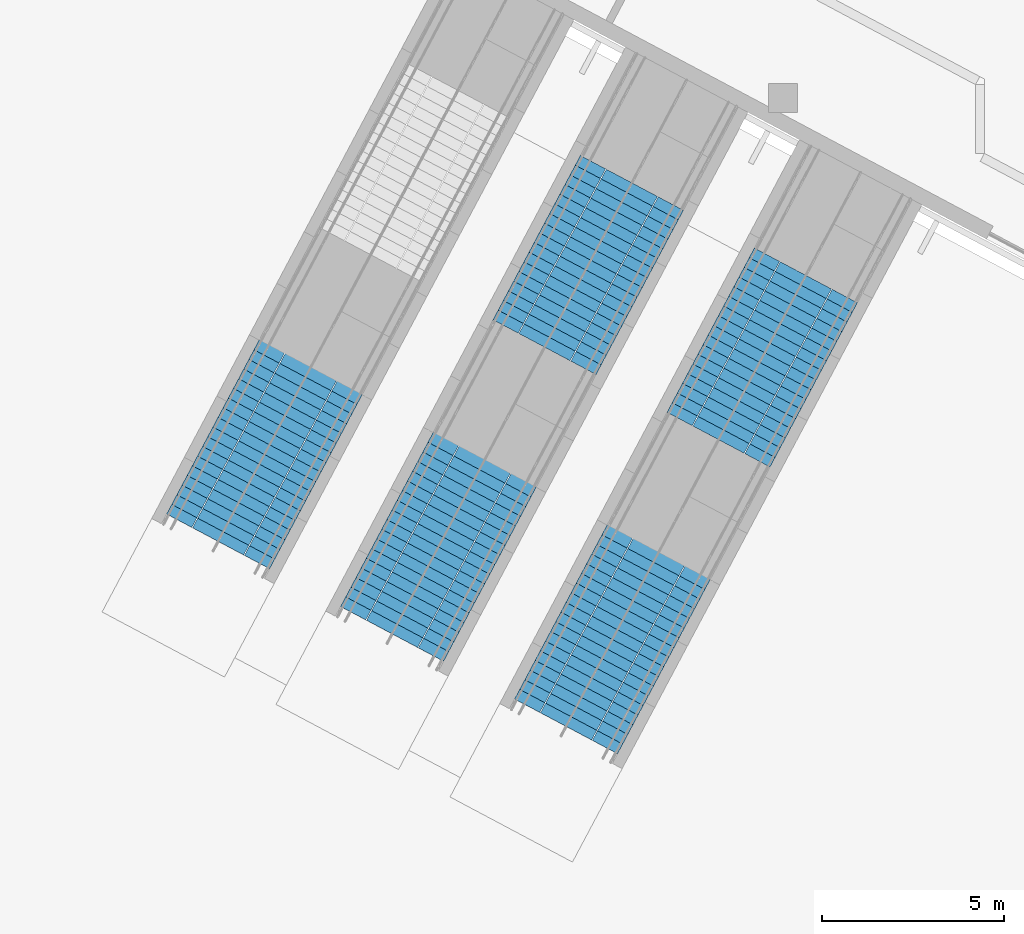
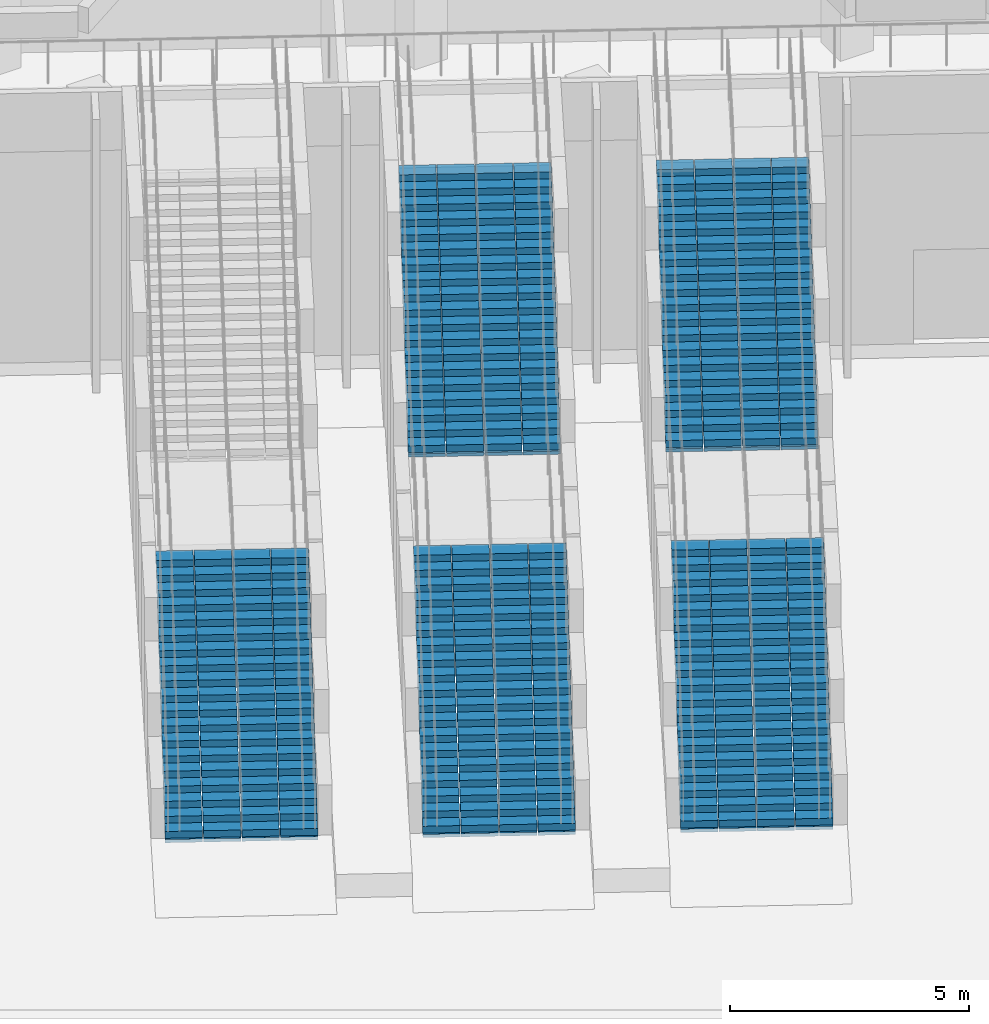
# One storey, part 32 of 57: 5 stair flights, 3 elements without a shape of their own.
"""IFC4 building model written with IfcOpenShell, lengths in metres."""

from ifc_helpers import new_model, si_unit, direction, frame, origin, place, context, subcontext, project, spatial, polyline, outline, extrude, material, layer, layer_set, type_object, element, aggregate, save


model = new_model("IFC4")

# Units and contexts
model_context = context("Model", 3, precision=1e-05, world=origin(), true_north=direction((0.0, 1.0)))
body_context = subcontext(model_context, "Body", "Model", "MODEL_VIEW")
ifc_project = project(units=[si_unit("LENGTHUNIT", "METRE"), si_unit("AREAUNIT", "SQUARE_METRE"), si_unit("VOLUMEUNIT", "CUBIC_METRE"), si_unit("PLANEANGLEUNIT", "RADIAN"), si_unit("MASSUNIT", "GRAM", prefix="KILO")], contexts=[model_context])

# Site, building, storey
site_placement = place(None, origin())
site = spatial("IfcSite", under=ifc_project, at=site_placement, CompositionType="ELEMENT")
building_placement = place(site_placement, origin())
building = spatial("IfcBuilding", under=site, at=building_placement, Name="Cormorant Relay Tower", CompositionType="ELEMENT")
storey_placement = place(building_placement, origin())
storey = spatial("IfcBuildingStorey", under=building, at=storey_placement, Name="L00", CompositionType="ELEMENT", Elevation=0.0)

# Stair, stair flight
ifc_material_1 = material(Name="Concrete 40 MPa", Category="concrete")
stair_type = type_object("IfcStairType", Name="Street stair 3200", PredefinedType="STRAIGHT_RUN_STAIR", material=ifc_material_1)
stair_1_placement = place(storey_placement, origin())
stair_1 = element("IfcStair", 1, at=stair_1_placement, inside=storey, type_object=stair_type, Name="Street stair 2A", PredefinedType="STRAIGHT_RUN_STAIR")
ifc_material_2 = material(Name="Concrete 40 MPa", Category="concrete")
ifc_layer = layer(ifc_material_2, 0.199951171875)
ifc_layer_set = layer_set([ifc_layer], Name="Street stair flight")
stair_flight_type = type_object("IfcStairFlightType", Name="Street stair flight", PredefinedType="STRAIGHT", material=ifc_layer_set)
stair_flight_1_placement = place(storey_placement, frame((-44.114013671875, -33.739013671875, 0.0), z_axis=(0.0, 0.0, 1.0), x_axis=(0.469471562786, 0.882947592859, 0.0)))
stair_flight_1 = element("IfcStairFlight", 2, at=stair_flight_1_placement, type_object=stair_flight_type, Name="PST1 flight 2", NumberOfRisers=20, NumberOfTreads=19, PredefinedType="STRAIGHT", RiserHeight=0.175, TreadLength=0.3, context=body_context, shape_type="SweptSolid", body=[
    extrude(outline(polyline([(-0.050048828125, -0.080078125), (-0.050048828125, 0.0), (0.0, 0.0), (0.0, 0.175048828125), (0.300048828125, 0.175048828125), (0.300048828125, 0.35009765625), (0.60009765625, 0.35009765625), (0.60009765625, 0.52490234375), (0.89990234375, 0.52490234375), (0.89990234375, 0.699951171875), (1.199951171875, 0.699951171875), (1.199951171875, 0.875), (1.5, 0.875), (1.5, 1.050048828125), (1.800048828125, 1.050048828125), (1.800048828125, 1.22509765625), (2.10009765625, 1.22509765625), (2.10009765625, 1.39990234375), (2.39990234375, 1.39990234375), (2.39990234375, 1.574951171875), (2.699951171875, 1.574951171875), (2.699951171875, 1.75), (3.0, 1.75), (3.0, 1.925048828125), (3.300048828125, 1.925048828125), (3.300048828125, 2.10009765625), (3.60009765625, 2.10009765625), (3.60009765625, 2.27490234375), (3.89990234375, 2.27490234375), (3.89990234375, 2.449951171875), (4.199951171875, 2.449951171875), (4.199951171875, 2.625), (4.5, 2.625), (4.5, 2.800048828125), (4.800048828125, 2.800048828125), (4.800048828125, 2.97509765625), (5.10009765625, 2.97509765625), (5.10009765625, 3.14990234375), (5.39990234375, 3.14990234375), (5.39990234375, 3.324951171875), (5.699951171875, 3.324951171875), (5.75, 3.324951171875), (5.75, 3.1513671875), (5.699951171875, 3.1513671875), (0.297607421875, 0.0), (-0.050048828125, -0.080078125)])), frame((0.0, 1.60009765625, 0.0), z_axis=(0.0, -1.0, 0.0), x_axis=(1.0, 0.0, 0.0)), (0.0, 0.0, 1.0), 0.784912109375),
    extrude(outline(polyline([(-0.050048828125, -0.080078125), (-0.050048828125, 0.0), (0.0, 0.0), (0.0, 0.175048828125), (0.300048828125, 0.175048828125), (0.300048828125, 0.35009765625), (0.60009765625, 0.35009765625), (0.60009765625, 0.52490234375), (0.89990234375, 0.52490234375), (0.89990234375, 0.699951171875), (1.199951171875, 0.699951171875), (1.199951171875, 0.875), (1.5, 0.875), (1.5, 1.050048828125), (1.800048828125, 1.050048828125), (1.800048828125, 1.22509765625), (2.10009765625, 1.22509765625), (2.10009765625, 1.39990234375), (2.39990234375, 1.39990234375), (2.39990234375, 1.574951171875), (2.699951171875, 1.574951171875), (2.699951171875, 1.75), (3.0, 1.75), (3.0, 1.925048828125), (3.300048828125, 1.925048828125), (3.300048828125, 2.10009765625), (3.60009765625, 2.10009765625), (3.60009765625, 2.27490234375), (3.89990234375, 2.27490234375), (3.89990234375, 2.449951171875), (4.199951171875, 2.449951171875), (4.199951171875, 2.625), (4.5, 2.625), (4.5, 2.800048828125), (4.800048828125, 2.800048828125), (4.800048828125, 2.97509765625), (5.10009765625, 2.97509765625), (5.10009765625, 3.14990234375), (5.39990234375, 3.14990234375), (5.39990234375, 3.324951171875), (5.699951171875, 3.324951171875), (5.75, 3.324951171875), (5.75, 3.1513671875), (5.699951171875, 3.1513671875), (0.297607421875, 0.0), (-0.050048828125, -0.080078125)])), frame((0.0, 0.795166015625, 0.0), z_axis=(0.0, -1.0, 0.0), x_axis=(1.0, 0.0, 0.0)), (0.0, 0.0, 1.0), 0.784912109375),
    extrude(outline(polyline([(-0.050048828125, -0.080078125), (-0.050048828125, 0.0), (0.0, 0.0), (0.0, 0.175048828125), (0.300048828125, 0.175048828125), (0.300048828125, 0.35009765625), (0.60009765625, 0.35009765625), (0.60009765625, 0.52490234375), (0.89990234375, 0.52490234375), (0.89990234375, 0.699951171875), (1.199951171875, 0.699951171875), (1.199951171875, 0.875), (1.5, 0.875), (1.5, 1.050048828125), (1.800048828125, 1.050048828125), (1.800048828125, 1.22509765625), (2.10009765625, 1.22509765625), (2.10009765625, 1.39990234375), (2.39990234375, 1.39990234375), (2.39990234375, 1.574951171875), (2.699951171875, 1.574951171875), (2.699951171875, 1.75), (3.0, 1.75), (3.0, 1.925048828125), (3.300048828125, 1.925048828125), (3.300048828125, 2.10009765625), (3.60009765625, 2.10009765625), (3.60009765625, 2.27490234375), (3.89990234375, 2.27490234375), (3.89990234375, 2.449951171875), (4.199951171875, 2.449951171875), (4.199951171875, 2.625), (4.5, 2.625), (4.5, 2.800048828125), (4.800048828125, 2.800048828125), (4.800048828125, 2.97509765625), (5.10009765625, 2.97509765625), (5.10009765625, 3.14990234375), (5.39990234375, 3.14990234375), (5.39990234375, 3.324951171875), (5.699951171875, 3.324951171875), (5.75, 3.324951171875), (5.75, 3.1513671875), (5.699951171875, 3.1513671875), (0.297607421875, 0.0), (-0.050048828125, -0.080078125)])), frame((0.0, -0.009765625, 0.0), z_axis=(0.0, -1.0, 0.0), x_axis=(1.0, 0.0, 0.0)), (0.0, 0.0, 1.0), 0.784912109375),
    extrude(outline(polyline([(-0.050048828125, -0.080078125), (-0.050048828125, 0.0), (0.0, 0.0), (0.0, 0.175048828125), (0.300048828125, 0.175048828125), (0.300048828125, 0.35009765625), (0.60009765625, 0.35009765625), (0.60009765625, 0.52490234375), (0.89990234375, 0.52490234375), (0.89990234375, 0.699951171875), (1.199951171875, 0.699951171875), (1.199951171875, 0.875), (1.5, 0.875), (1.5, 1.050048828125), (1.800048828125, 1.050048828125), (1.800048828125, 1.22509765625), (2.10009765625, 1.22509765625), (2.10009765625, 1.39990234375), (2.39990234375, 1.39990234375), (2.39990234375, 1.574951171875), (2.699951171875, 1.574951171875), (2.699951171875, 1.75), (3.0, 1.75), (3.0, 1.925048828125), (3.300048828125, 1.925048828125), (3.300048828125, 2.10009765625), (3.60009765625, 2.10009765625), (3.60009765625, 2.27490234375), (3.89990234375, 2.27490234375), (3.89990234375, 2.449951171875), (4.199951171875, 2.449951171875), (4.199951171875, 2.625), (4.5, 2.625), (4.5, 2.800048828125), (4.800048828125, 2.800048828125), (4.800048828125, 2.97509765625), (5.10009765625, 2.97509765625), (5.10009765625, 3.14990234375), (5.39990234375, 3.14990234375), (5.39990234375, 3.324951171875), (5.699951171875, 3.324951171875), (5.75, 3.324951171875), (5.75, 3.1513671875), (5.699951171875, 3.1513671875), (0.297607421875, 0.0), (-0.050048828125, -0.080078125)])), frame((0.0, -0.814697265625, 0.0), z_axis=(0.0, -1.0, 0.0), x_axis=(1.0, 0.0, 0.0)), (0.0, 0.0, 1.0), 0.784912109375),
])
aggregate(stair_1, [stair_flight_1])

# Stair, stair flights
stair_2_placement = place(storey_placement, origin())
stair_2 = element("IfcStair", 3, at=stair_2_placement, inside=storey, type_object=stair_type, Name="Street stair 2B", PredefinedType="STRAIGHT_RUN_STAIR")
stair_flight_2_placement = place(storey_placement, frame((-35.16796875, -28.415771484375, 3.5), z_axis=(0.0, 0.0, 1.0), x_axis=(0.469471562786, 0.882947592859, 0.0)))
stair_flight_2 = element("IfcStairFlight", 4, at=stair_flight_2_placement, type_object=stair_flight_type, Name="PST1 flight 1", NumberOfRisers=20, NumberOfTreads=19, PredefinedType="STRAIGHT", RiserHeight=0.175, TreadLength=0.3, context=body_context, shape_type="SweptSolid", body=[
    extrude(outline(polyline([(-0.050048828125, -0.080078125), (-0.050048828125, 0.0), (0.0, 0.0), (0.0, 0.175048828125), (0.300048828125, 0.175048828125), (0.300048828125, 0.35009765625), (0.60009765625, 0.35009765625), (0.60009765625, 0.52490234375), (0.89990234375, 0.52490234375), (0.89990234375, 0.699951171875), (1.199951171875, 0.699951171875), (1.199951171875, 0.875), (1.5, 0.875), (1.5, 1.050048828125), (1.800048828125, 1.050048828125), (1.800048828125, 1.22509765625), (2.10009765625, 1.22509765625), (2.10009765625, 1.39990234375), (2.39990234375, 1.39990234375), (2.39990234375, 1.574951171875), (2.699951171875, 1.574951171875), (2.699951171875, 1.75), (3.0, 1.75), (3.0, 1.925048828125), (3.300048828125, 1.925048828125), (3.300048828125, 2.10009765625), (3.60009765625, 2.10009765625), (3.60009765625, 2.27490234375), (3.89990234375, 2.27490234375), (3.89990234375, 2.449951171875), (4.199951171875, 2.449951171875), (4.199951171875, 2.625), (4.5, 2.625), (4.5, 2.800048828125), (4.800048828125, 2.800048828125), (4.800048828125, 2.97509765625), (5.10009765625, 2.97509765625), (5.10009765625, 3.14990234375), (5.39990234375, 3.14990234375), (5.39990234375, 3.324951171875), (5.699951171875, 3.324951171875), (5.75, 3.324951171875), (5.75, 3.1513671875), (5.699951171875, 3.1513671875), (0.297607421875, 0.0), (-0.050048828125, -0.080078125)])), frame((0.0, 1.60009765625, 0.0), z_axis=(0.0, -1.0, 0.0), x_axis=(1.0, 0.0, 0.0)), (0.0, 0.0, 1.0), 0.784912109375),
    extrude(outline(polyline([(-0.050048828125, -0.080078125), (-0.050048828125, 0.0), (0.0, 0.0), (0.0, 0.175048828125), (0.300048828125, 0.175048828125), (0.300048828125, 0.35009765625), (0.60009765625, 0.35009765625), (0.60009765625, 0.52490234375), (0.89990234375, 0.52490234375), (0.89990234375, 0.699951171875), (1.199951171875, 0.699951171875), (1.199951171875, 0.875), (1.5, 0.875), (1.5, 1.050048828125), (1.800048828125, 1.050048828125), (1.800048828125, 1.22509765625), (2.10009765625, 1.22509765625), (2.10009765625, 1.39990234375), (2.39990234375, 1.39990234375), (2.39990234375, 1.574951171875), (2.699951171875, 1.574951171875), (2.699951171875, 1.75), (3.0, 1.75), (3.0, 1.925048828125), (3.300048828125, 1.925048828125), (3.300048828125, 2.10009765625), (3.60009765625, 2.10009765625), (3.60009765625, 2.27490234375), (3.89990234375, 2.27490234375), (3.89990234375, 2.449951171875), (4.199951171875, 2.449951171875), (4.199951171875, 2.625), (4.5, 2.625), (4.5, 2.800048828125), (4.800048828125, 2.800048828125), (4.800048828125, 2.97509765625), (5.10009765625, 2.97509765625), (5.10009765625, 3.14990234375), (5.39990234375, 3.14990234375), (5.39990234375, 3.324951171875), (5.699951171875, 3.324951171875), (5.75, 3.324951171875), (5.75, 3.1513671875), (5.699951171875, 3.1513671875), (0.297607421875, 0.0), (-0.050048828125, -0.080078125)])), frame((0.0, 0.795166015625, 0.0), z_axis=(0.0, -1.0, 0.0), x_axis=(1.0, 0.0, 0.0)), (0.0, 0.0, 1.0), 0.784912109375),
    extrude(outline(polyline([(-0.050048828125, -0.080078125), (-0.050048828125, 0.0), (0.0, 0.0), (0.0, 0.175048828125), (0.300048828125, 0.175048828125), (0.300048828125, 0.35009765625), (0.60009765625, 0.35009765625), (0.60009765625, 0.52490234375), (0.89990234375, 0.52490234375), (0.89990234375, 0.699951171875), (1.199951171875, 0.699951171875), (1.199951171875, 0.875), (1.5, 0.875), (1.5, 1.050048828125), (1.800048828125, 1.050048828125), (1.800048828125, 1.22509765625), (2.10009765625, 1.22509765625), (2.10009765625, 1.39990234375), (2.39990234375, 1.39990234375), (2.39990234375, 1.574951171875), (2.699951171875, 1.574951171875), (2.699951171875, 1.75), (3.0, 1.75), (3.0, 1.925048828125), (3.300048828125, 1.925048828125), (3.300048828125, 2.10009765625), (3.60009765625, 2.10009765625), (3.60009765625, 2.27490234375), (3.89990234375, 2.27490234375), (3.89990234375, 2.449951171875), (4.199951171875, 2.449951171875), (4.199951171875, 2.625), (4.5, 2.625), (4.5, 2.800048828125), (4.800048828125, 2.800048828125), (4.800048828125, 2.97509765625), (5.10009765625, 2.97509765625), (5.10009765625, 3.14990234375), (5.39990234375, 3.14990234375), (5.39990234375, 3.324951171875), (5.699951171875, 3.324951171875), (5.75, 3.324951171875), (5.75, 3.1513671875), (5.699951171875, 3.1513671875), (0.297607421875, 0.0), (-0.050048828125, -0.080078125)])), frame((0.0, -0.009765625, 0.0), z_axis=(0.0, -1.0, 0.0), x_axis=(1.0, 0.0, 0.0)), (0.0, 0.0, 1.0), 0.784912109375),
    extrude(outline(polyline([(-0.050048828125, -0.080078125), (-0.050048828125, 0.0), (0.0, 0.0), (0.0, 0.175048828125), (0.300048828125, 0.175048828125), (0.300048828125, 0.35009765625), (0.60009765625, 0.35009765625), (0.60009765625, 0.52490234375), (0.89990234375, 0.52490234375), (0.89990234375, 0.699951171875), (1.199951171875, 0.699951171875), (1.199951171875, 0.875), (1.5, 0.875), (1.5, 1.050048828125), (1.800048828125, 1.050048828125), (1.800048828125, 1.22509765625), (2.10009765625, 1.22509765625), (2.10009765625, 1.39990234375), (2.39990234375, 1.39990234375), (2.39990234375, 1.574951171875), (2.699951171875, 1.574951171875), (2.699951171875, 1.75), (3.0, 1.75), (3.0, 1.925048828125), (3.300048828125, 1.925048828125), (3.300048828125, 2.10009765625), (3.60009765625, 2.10009765625), (3.60009765625, 2.27490234375), (3.89990234375, 2.27490234375), (3.89990234375, 2.449951171875), (4.199951171875, 2.449951171875), (4.199951171875, 2.625), (4.5, 2.625), (4.5, 2.800048828125), (4.800048828125, 2.800048828125), (4.800048828125, 2.97509765625), (5.10009765625, 2.97509765625), (5.10009765625, 3.14990234375), (5.39990234375, 3.14990234375), (5.39990234375, 3.324951171875), (5.699951171875, 3.324951171875), (5.75, 3.324951171875), (5.75, 3.1513671875), (5.699951171875, 3.1513671875), (0.297607421875, 0.0), (-0.050048828125, -0.080078125)])), frame((0.0, -0.814697265625, 0.0), z_axis=(0.0, -1.0, 0.0), x_axis=(1.0, 0.0, 0.0)), (0.0, 0.0, 1.0), 0.784912109375),
])
stair_flight_3_placement = place(storey_placement, frame((-39.34619140625, -36.27392578125, 0.0), z_axis=(0.0, 0.0, 1.0), x_axis=(0.469471562786, 0.882947592859, 0.0)))
stair_flight_3 = element("IfcStairFlight", 5, at=stair_flight_3_placement, type_object=stair_flight_type, Name="PST1 flight 2", NumberOfRisers=20, NumberOfTreads=19, PredefinedType="STRAIGHT", RiserHeight=0.175, TreadLength=0.3, context=body_context, shape_type="SweptSolid", body=[
    extrude(outline(polyline([(-0.050048828125, -0.080078125), (-0.050048828125, 0.0), (0.0, 0.0), (0.0, 0.175048828125), (0.300048828125, 0.175048828125), (0.300048828125, 0.35009765625), (0.60009765625, 0.35009765625), (0.60009765625, 0.52490234375), (0.89990234375, 0.52490234375), (0.89990234375, 0.699951171875), (1.199951171875, 0.699951171875), (1.199951171875, 0.875), (1.5, 0.875), (1.5, 1.050048828125), (1.800048828125, 1.050048828125), (1.800048828125, 1.22509765625), (2.10009765625, 1.22509765625), (2.10009765625, 1.39990234375), (2.39990234375, 1.39990234375), (2.39990234375, 1.574951171875), (2.699951171875, 1.574951171875), (2.699951171875, 1.75), (3.0, 1.75), (3.0, 1.925048828125), (3.300048828125, 1.925048828125), (3.300048828125, 2.10009765625), (3.60009765625, 2.10009765625), (3.60009765625, 2.27490234375), (3.89990234375, 2.27490234375), (3.89990234375, 2.449951171875), (4.199951171875, 2.449951171875), (4.199951171875, 2.625), (4.5, 2.625), (4.5, 2.800048828125), (4.800048828125, 2.800048828125), (4.800048828125, 2.97509765625), (5.10009765625, 2.97509765625), (5.10009765625, 3.14990234375), (5.39990234375, 3.14990234375), (5.39990234375, 3.324951171875), (5.699951171875, 3.324951171875), (5.75, 3.324951171875), (5.75, 3.1513671875), (5.699951171875, 3.1513671875), (0.297607421875, 0.0), (-0.050048828125, -0.080078125)])), frame((0.0, 1.60009765625, 0.0), z_axis=(0.0, -1.0, 0.0), x_axis=(1.0, 0.0, 0.0)), (0.0, 0.0, 1.0), 0.784912109375),
    extrude(outline(polyline([(-0.050048828125, -0.080078125), (-0.050048828125, 0.0), (0.0, 0.0), (0.0, 0.175048828125), (0.300048828125, 0.175048828125), (0.300048828125, 0.35009765625), (0.60009765625, 0.35009765625), (0.60009765625, 0.52490234375), (0.89990234375, 0.52490234375), (0.89990234375, 0.699951171875), (1.199951171875, 0.699951171875), (1.199951171875, 0.875), (1.5, 0.875), (1.5, 1.050048828125), (1.800048828125, 1.050048828125), (1.800048828125, 1.22509765625), (2.10009765625, 1.22509765625), (2.10009765625, 1.39990234375), (2.39990234375, 1.39990234375), (2.39990234375, 1.574951171875), (2.699951171875, 1.574951171875), (2.699951171875, 1.75), (3.0, 1.75), (3.0, 1.925048828125), (3.300048828125, 1.925048828125), (3.300048828125, 2.10009765625), (3.60009765625, 2.10009765625), (3.60009765625, 2.27490234375), (3.89990234375, 2.27490234375), (3.89990234375, 2.449951171875), (4.199951171875, 2.449951171875), (4.199951171875, 2.625), (4.5, 2.625), (4.5, 2.800048828125), (4.800048828125, 2.800048828125), (4.800048828125, 2.97509765625), (5.10009765625, 2.97509765625), (5.10009765625, 3.14990234375), (5.39990234375, 3.14990234375), (5.39990234375, 3.324951171875), (5.699951171875, 3.324951171875), (5.75, 3.324951171875), (5.75, 3.1513671875), (5.699951171875, 3.1513671875), (0.297607421875, 0.0), (-0.050048828125, -0.080078125)])), frame((0.0, 0.795166015625, 0.0), z_axis=(0.0, -1.0, 0.0), x_axis=(1.0, 0.0, 0.0)), (0.0, 0.0, 1.0), 0.784912109375),
    extrude(outline(polyline([(-0.050048828125, -0.080078125), (-0.050048828125, 0.0), (0.0, 0.0), (0.0, 0.175048828125), (0.300048828125, 0.175048828125), (0.300048828125, 0.35009765625), (0.60009765625, 0.35009765625), (0.60009765625, 0.52490234375), (0.89990234375, 0.52490234375), (0.89990234375, 0.699951171875), (1.199951171875, 0.699951171875), (1.199951171875, 0.875), (1.5, 0.875), (1.5, 1.050048828125), (1.800048828125, 1.050048828125), (1.800048828125, 1.22509765625), (2.10009765625, 1.22509765625), (2.10009765625, 1.39990234375), (2.39990234375, 1.39990234375), (2.39990234375, 1.574951171875), (2.699951171875, 1.574951171875), (2.699951171875, 1.75), (3.0, 1.75), (3.0, 1.925048828125), (3.300048828125, 1.925048828125), (3.300048828125, 2.10009765625), (3.60009765625, 2.10009765625), (3.60009765625, 2.27490234375), (3.89990234375, 2.27490234375), (3.89990234375, 2.449951171875), (4.199951171875, 2.449951171875), (4.199951171875, 2.625), (4.5, 2.625), (4.5, 2.800048828125), (4.800048828125, 2.800048828125), (4.800048828125, 2.97509765625), (5.10009765625, 2.97509765625), (5.10009765625, 3.14990234375), (5.39990234375, 3.14990234375), (5.39990234375, 3.324951171875), (5.699951171875, 3.324951171875), (5.75, 3.324951171875), (5.75, 3.1513671875), (5.699951171875, 3.1513671875), (0.297607421875, 0.0), (-0.050048828125, -0.080078125)])), frame((0.0, -0.009765625, 0.0), z_axis=(0.0, -1.0, 0.0), x_axis=(1.0, 0.0, 0.0)), (0.0, 0.0, 1.0), 0.784912109375),
    extrude(outline(polyline([(-0.050048828125, -0.080078125), (-0.050048828125, 0.0), (0.0, 0.0), (0.0, 0.175048828125), (0.300048828125, 0.175048828125), (0.300048828125, 0.35009765625), (0.60009765625, 0.35009765625), (0.60009765625, 0.52490234375), (0.89990234375, 0.52490234375), (0.89990234375, 0.699951171875), (1.199951171875, 0.699951171875), (1.199951171875, 0.875), (1.5, 0.875), (1.5, 1.050048828125), (1.800048828125, 1.050048828125), (1.800048828125, 1.22509765625), (2.10009765625, 1.22509765625), (2.10009765625, 1.39990234375), (2.39990234375, 1.39990234375), (2.39990234375, 1.574951171875), (2.699951171875, 1.574951171875), (2.699951171875, 1.75), (3.0, 1.75), (3.0, 1.925048828125), (3.300048828125, 1.925048828125), (3.300048828125, 2.10009765625), (3.60009765625, 2.10009765625), (3.60009765625, 2.27490234375), (3.89990234375, 2.27490234375), (3.89990234375, 2.449951171875), (4.199951171875, 2.449951171875), (4.199951171875, 2.625), (4.5, 2.625), (4.5, 2.800048828125), (4.800048828125, 2.800048828125), (4.800048828125, 2.97509765625), (5.10009765625, 2.97509765625), (5.10009765625, 3.14990234375), (5.39990234375, 3.14990234375), (5.39990234375, 3.324951171875), (5.699951171875, 3.324951171875), (5.75, 3.324951171875), (5.75, 3.1513671875), (5.699951171875, 3.1513671875), (0.297607421875, 0.0), (-0.050048828125, -0.080078125)])), frame((0.0, -0.814697265625, 0.0), z_axis=(0.0, -1.0, 0.0), x_axis=(1.0, 0.0, 0.0)), (0.0, 0.0, 1.0), 0.784912109375),
])
aggregate(stair_2, [stair_flight_2, stair_flight_3])

stair_3_placement = place(storey_placement, origin())
stair_3 = element("IfcStair", 6, at=stair_3_placement, inside=storey, type_object=stair_type, Name="Street stair 2C", PredefinedType="STRAIGHT_RUN_STAIR")
stair_flight_4_placement = place(storey_placement, frame((-30.39990234375, -30.950927734375, 3.5), z_axis=(0.0, 0.0, 1.0), x_axis=(0.469471562786, 0.882947592859, 0.0)))
stair_flight_4 = element("IfcStairFlight", 7, at=stair_flight_4_placement, type_object=stair_flight_type, Name="PST1 flight 1", NumberOfRisers=20, NumberOfTreads=19, PredefinedType="STRAIGHT", RiserHeight=0.175, TreadLength=0.3, context=body_context, shape_type="SweptSolid", body=[
    extrude(outline(polyline([(-0.050048828125, -0.080078125), (-0.050048828125, 0.0), (0.0, 0.0), (0.0, 0.175048828125), (0.300048828125, 0.175048828125), (0.300048828125, 0.35009765625), (0.60009765625, 0.35009765625), (0.60009765625, 0.52490234375), (0.89990234375, 0.52490234375), (0.89990234375, 0.699951171875), (1.199951171875, 0.699951171875), (1.199951171875, 0.875), (1.5, 0.875), (1.5, 1.050048828125), (1.800048828125, 1.050048828125), (1.800048828125, 1.22509765625), (2.10009765625, 1.22509765625), (2.10009765625, 1.39990234375), (2.39990234375, 1.39990234375), (2.39990234375, 1.574951171875), (2.699951171875, 1.574951171875), (2.699951171875, 1.75), (3.0, 1.75), (3.0, 1.925048828125), (3.300048828125, 1.925048828125), (3.300048828125, 2.10009765625), (3.60009765625, 2.10009765625), (3.60009765625, 2.27490234375), (3.89990234375, 2.27490234375), (3.89990234375, 2.449951171875), (4.199951171875, 2.449951171875), (4.199951171875, 2.625), (4.5, 2.625), (4.5, 2.800048828125), (4.800048828125, 2.800048828125), (4.800048828125, 2.97509765625), (5.10009765625, 2.97509765625), (5.10009765625, 3.14990234375), (5.39990234375, 3.14990234375), (5.39990234375, 3.324951171875), (5.699951171875, 3.324951171875), (5.75, 3.324951171875), (5.75, 3.1513671875), (5.699951171875, 3.1513671875), (0.297607421875, 0.0), (-0.050048828125, -0.080078125)])), frame((0.0, 1.60009765625, 0.0), z_axis=(0.0, -1.0, 0.0), x_axis=(1.0, 0.0, 0.0)), (0.0, 0.0, 1.0), 0.784912109375),
    extrude(outline(polyline([(-0.050048828125, -0.080078125), (-0.050048828125, 0.0), (0.0, 0.0), (0.0, 0.175048828125), (0.300048828125, 0.175048828125), (0.300048828125, 0.35009765625), (0.60009765625, 0.35009765625), (0.60009765625, 0.52490234375), (0.89990234375, 0.52490234375), (0.89990234375, 0.699951171875), (1.199951171875, 0.699951171875), (1.199951171875, 0.875), (1.5, 0.875), (1.5, 1.050048828125), (1.800048828125, 1.050048828125), (1.800048828125, 1.22509765625), (2.10009765625, 1.22509765625), (2.10009765625, 1.39990234375), (2.39990234375, 1.39990234375), (2.39990234375, 1.574951171875), (2.699951171875, 1.574951171875), (2.699951171875, 1.75), (3.0, 1.75), (3.0, 1.925048828125), (3.300048828125, 1.925048828125), (3.300048828125, 2.10009765625), (3.60009765625, 2.10009765625), (3.60009765625, 2.27490234375), (3.89990234375, 2.27490234375), (3.89990234375, 2.449951171875), (4.199951171875, 2.449951171875), (4.199951171875, 2.625), (4.5, 2.625), (4.5, 2.800048828125), (4.800048828125, 2.800048828125), (4.800048828125, 2.97509765625), (5.10009765625, 2.97509765625), (5.10009765625, 3.14990234375), (5.39990234375, 3.14990234375), (5.39990234375, 3.324951171875), (5.699951171875, 3.324951171875), (5.75, 3.324951171875), (5.75, 3.1513671875), (5.699951171875, 3.1513671875), (0.297607421875, 0.0), (-0.050048828125, -0.080078125)])), frame((0.0, 0.795166015625, 0.0), z_axis=(0.0, -1.0, 0.0), x_axis=(1.0, 0.0, 0.0)), (0.0, 0.0, 1.0), 0.784912109375),
    extrude(outline(polyline([(-0.050048828125, -0.080078125), (-0.050048828125, 0.0), (0.0, 0.0), (0.0, 0.175048828125), (0.300048828125, 0.175048828125), (0.300048828125, 0.35009765625), (0.60009765625, 0.35009765625), (0.60009765625, 0.52490234375), (0.89990234375, 0.52490234375), (0.89990234375, 0.699951171875), (1.199951171875, 0.699951171875), (1.199951171875, 0.875), (1.5, 0.875), (1.5, 1.050048828125), (1.800048828125, 1.050048828125), (1.800048828125, 1.22509765625), (2.10009765625, 1.22509765625), (2.10009765625, 1.39990234375), (2.39990234375, 1.39990234375), (2.39990234375, 1.574951171875), (2.699951171875, 1.574951171875), (2.699951171875, 1.75), (3.0, 1.75), (3.0, 1.925048828125), (3.300048828125, 1.925048828125), (3.300048828125, 2.10009765625), (3.60009765625, 2.10009765625), (3.60009765625, 2.27490234375), (3.89990234375, 2.27490234375), (3.89990234375, 2.449951171875), (4.199951171875, 2.449951171875), (4.199951171875, 2.625), (4.5, 2.625), (4.5, 2.800048828125), (4.800048828125, 2.800048828125), (4.800048828125, 2.97509765625), (5.10009765625, 2.97509765625), (5.10009765625, 3.14990234375), (5.39990234375, 3.14990234375), (5.39990234375, 3.324951171875), (5.699951171875, 3.324951171875), (5.75, 3.324951171875), (5.75, 3.1513671875), (5.699951171875, 3.1513671875), (0.297607421875, 0.0), (-0.050048828125, -0.080078125)])), frame((0.0, -0.009765625, 0.0), z_axis=(0.0, -1.0, 0.0), x_axis=(1.0, 0.0, 0.0)), (0.0, 0.0, 1.0), 0.784912109375),
    extrude(outline(polyline([(-0.050048828125, -0.080078125), (-0.050048828125, 0.0), (0.0, 0.0), (0.0, 0.175048828125), (0.300048828125, 0.175048828125), (0.300048828125, 0.35009765625), (0.60009765625, 0.35009765625), (0.60009765625, 0.52490234375), (0.89990234375, 0.52490234375), (0.89990234375, 0.699951171875), (1.199951171875, 0.699951171875), (1.199951171875, 0.875), (1.5, 0.875), (1.5, 1.050048828125), (1.800048828125, 1.050048828125), (1.800048828125, 1.22509765625), (2.10009765625, 1.22509765625), (2.10009765625, 1.39990234375), (2.39990234375, 1.39990234375), (2.39990234375, 1.574951171875), (2.699951171875, 1.574951171875), (2.699951171875, 1.75), (3.0, 1.75), (3.0, 1.925048828125), (3.300048828125, 1.925048828125), (3.300048828125, 2.10009765625), (3.60009765625, 2.10009765625), (3.60009765625, 2.27490234375), (3.89990234375, 2.27490234375), (3.89990234375, 2.449951171875), (4.199951171875, 2.449951171875), (4.199951171875, 2.625), (4.5, 2.625), (4.5, 2.800048828125), (4.800048828125, 2.800048828125), (4.800048828125, 2.97509765625), (5.10009765625, 2.97509765625), (5.10009765625, 3.14990234375), (5.39990234375, 3.14990234375), (5.39990234375, 3.324951171875), (5.699951171875, 3.324951171875), (5.75, 3.324951171875), (5.75, 3.1513671875), (5.699951171875, 3.1513671875), (0.297607421875, 0.0), (-0.050048828125, -0.080078125)])), frame((0.0, -0.814697265625, 0.0), z_axis=(0.0, -1.0, 0.0), x_axis=(1.0, 0.0, 0.0)), (0.0, 0.0, 1.0), 0.784912109375),
])
stair_flight_5_placement = place(storey_placement, frame((-34.578369140625, -38.80908203125, 0.0), z_axis=(0.0, 0.0, 1.0), x_axis=(0.469471562786, 0.882947592859, 0.0)))
stair_flight_5 = element("IfcStairFlight", 8, at=stair_flight_5_placement, type_object=stair_flight_type, Name="PST1 flight 2", NumberOfRisers=20, NumberOfTreads=19, PredefinedType="STRAIGHT", RiserHeight=0.175, TreadLength=0.3, context=body_context, shape_type="SweptSolid", body=[
    extrude(outline(polyline([(-0.050048828125, -0.080078125), (-0.050048828125, 0.0), (0.0, 0.0), (0.0, 0.175048828125), (0.300048828125, 0.175048828125), (0.300048828125, 0.35009765625), (0.60009765625, 0.35009765625), (0.60009765625, 0.52490234375), (0.89990234375, 0.52490234375), (0.89990234375, 0.699951171875), (1.199951171875, 0.699951171875), (1.199951171875, 0.875), (1.5, 0.875), (1.5, 1.050048828125), (1.800048828125, 1.050048828125), (1.800048828125, 1.22509765625), (2.10009765625, 1.22509765625), (2.10009765625, 1.39990234375), (2.39990234375, 1.39990234375), (2.39990234375, 1.574951171875), (2.699951171875, 1.574951171875), (2.699951171875, 1.75), (3.0, 1.75), (3.0, 1.925048828125), (3.300048828125, 1.925048828125), (3.300048828125, 2.10009765625), (3.60009765625, 2.10009765625), (3.60009765625, 2.27490234375), (3.89990234375, 2.27490234375), (3.89990234375, 2.449951171875), (4.199951171875, 2.449951171875), (4.199951171875, 2.625), (4.5, 2.625), (4.5, 2.800048828125), (4.800048828125, 2.800048828125), (4.800048828125, 2.97509765625), (5.10009765625, 2.97509765625), (5.10009765625, 3.14990234375), (5.39990234375, 3.14990234375), (5.39990234375, 3.324951171875), (5.699951171875, 3.324951171875), (5.75, 3.324951171875), (5.75, 3.1513671875), (5.699951171875, 3.1513671875), (0.297607421875, 0.0), (-0.050048828125, -0.080078125)])), frame((0.0, 1.60009765625, 0.0), z_axis=(0.0, -1.0, 0.0), x_axis=(1.0, 0.0, 0.0)), (0.0, 0.0, 1.0), 0.784912109375),
    extrude(outline(polyline([(-0.050048828125, -0.080078125), (-0.050048828125, 0.0), (0.0, 0.0), (0.0, 0.175048828125), (0.300048828125, 0.175048828125), (0.300048828125, 0.35009765625), (0.60009765625, 0.35009765625), (0.60009765625, 0.52490234375), (0.89990234375, 0.52490234375), (0.89990234375, 0.699951171875), (1.199951171875, 0.699951171875), (1.199951171875, 0.875), (1.5, 0.875), (1.5, 1.050048828125), (1.800048828125, 1.050048828125), (1.800048828125, 1.22509765625), (2.10009765625, 1.22509765625), (2.10009765625, 1.39990234375), (2.39990234375, 1.39990234375), (2.39990234375, 1.574951171875), (2.699951171875, 1.574951171875), (2.699951171875, 1.75), (3.0, 1.75), (3.0, 1.925048828125), (3.300048828125, 1.925048828125), (3.300048828125, 2.10009765625), (3.60009765625, 2.10009765625), (3.60009765625, 2.27490234375), (3.89990234375, 2.27490234375), (3.89990234375, 2.449951171875), (4.199951171875, 2.449951171875), (4.199951171875, 2.625), (4.5, 2.625), (4.5, 2.800048828125), (4.800048828125, 2.800048828125), (4.800048828125, 2.97509765625), (5.10009765625, 2.97509765625), (5.10009765625, 3.14990234375), (5.39990234375, 3.14990234375), (5.39990234375, 3.324951171875), (5.699951171875, 3.324951171875), (5.75, 3.324951171875), (5.75, 3.1513671875), (5.699951171875, 3.1513671875), (0.297607421875, 0.0), (-0.050048828125, -0.080078125)])), frame((0.0, 0.795166015625, 0.0), z_axis=(0.0, -1.0, 0.0), x_axis=(1.0, 0.0, 0.0)), (0.0, 0.0, 1.0), 0.784912109375),
    extrude(outline(polyline([(-0.050048828125, -0.080078125), (-0.050048828125, 0.0), (0.0, 0.0), (0.0, 0.175048828125), (0.300048828125, 0.175048828125), (0.300048828125, 0.35009765625), (0.60009765625, 0.35009765625), (0.60009765625, 0.52490234375), (0.89990234375, 0.52490234375), (0.89990234375, 0.699951171875), (1.199951171875, 0.699951171875), (1.199951171875, 0.875), (1.5, 0.875), (1.5, 1.050048828125), (1.800048828125, 1.050048828125), (1.800048828125, 1.22509765625), (2.10009765625, 1.22509765625), (2.10009765625, 1.39990234375), (2.39990234375, 1.39990234375), (2.39990234375, 1.574951171875), (2.699951171875, 1.574951171875), (2.699951171875, 1.75), (3.0, 1.75), (3.0, 1.925048828125), (3.300048828125, 1.925048828125), (3.300048828125, 2.10009765625), (3.60009765625, 2.10009765625), (3.60009765625, 2.27490234375), (3.89990234375, 2.27490234375), (3.89990234375, 2.449951171875), (4.199951171875, 2.449951171875), (4.199951171875, 2.625), (4.5, 2.625), (4.5, 2.800048828125), (4.800048828125, 2.800048828125), (4.800048828125, 2.97509765625), (5.10009765625, 2.97509765625), (5.10009765625, 3.14990234375), (5.39990234375, 3.14990234375), (5.39990234375, 3.324951171875), (5.699951171875, 3.324951171875), (5.75, 3.324951171875), (5.75, 3.1513671875), (5.699951171875, 3.1513671875), (0.297607421875, 0.0), (-0.050048828125, -0.080078125)])), frame((0.0, -0.009765625, 0.0), z_axis=(0.0, -1.0, 0.0), x_axis=(1.0, 0.0, 0.0)), (0.0, 0.0, 1.0), 0.784912109375),
    extrude(outline(polyline([(-0.050048828125, -0.080078125), (-0.050048828125, 0.0), (0.0, 0.0), (0.0, 0.175048828125), (0.300048828125, 0.175048828125), (0.300048828125, 0.35009765625), (0.60009765625, 0.35009765625), (0.60009765625, 0.52490234375), (0.89990234375, 0.52490234375), (0.89990234375, 0.699951171875), (1.199951171875, 0.699951171875), (1.199951171875, 0.875), (1.5, 0.875), (1.5, 1.050048828125), (1.800048828125, 1.050048828125), (1.800048828125, 1.22509765625), (2.10009765625, 1.22509765625), (2.10009765625, 1.39990234375), (2.39990234375, 1.39990234375), (2.39990234375, 1.574951171875), (2.699951171875, 1.574951171875), (2.699951171875, 1.75), (3.0, 1.75), (3.0, 1.925048828125), (3.300048828125, 1.925048828125), (3.300048828125, 2.10009765625), (3.60009765625, 2.10009765625), (3.60009765625, 2.27490234375), (3.89990234375, 2.27490234375), (3.89990234375, 2.449951171875), (4.199951171875, 2.449951171875), (4.199951171875, 2.625), (4.5, 2.625), (4.5, 2.800048828125), (4.800048828125, 2.800048828125), (4.800048828125, 2.97509765625), (5.10009765625, 2.97509765625), (5.10009765625, 3.14990234375), (5.39990234375, 3.14990234375), (5.39990234375, 3.324951171875), (5.699951171875, 3.324951171875), (5.75, 3.324951171875), (5.75, 3.1513671875), (5.699951171875, 3.1513671875), (0.297607421875, 0.0), (-0.050048828125, -0.080078125)])), frame((0.0, -0.814697265625, 0.0), z_axis=(0.0, -1.0, 0.0), x_axis=(1.0, 0.0, 0.0)), (0.0, 0.0, 1.0), 0.784912109375),
])
aggregate(stair_3, [stair_flight_4, stair_flight_5])

save(model, "model.ifc")
